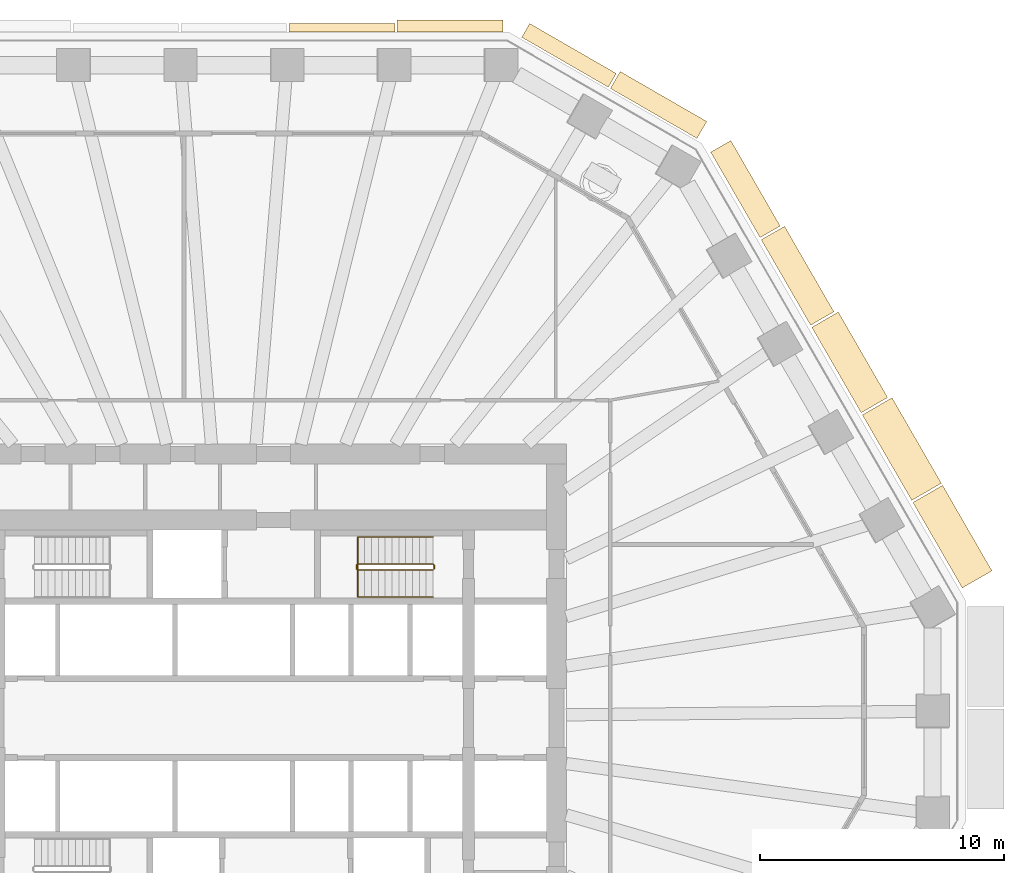
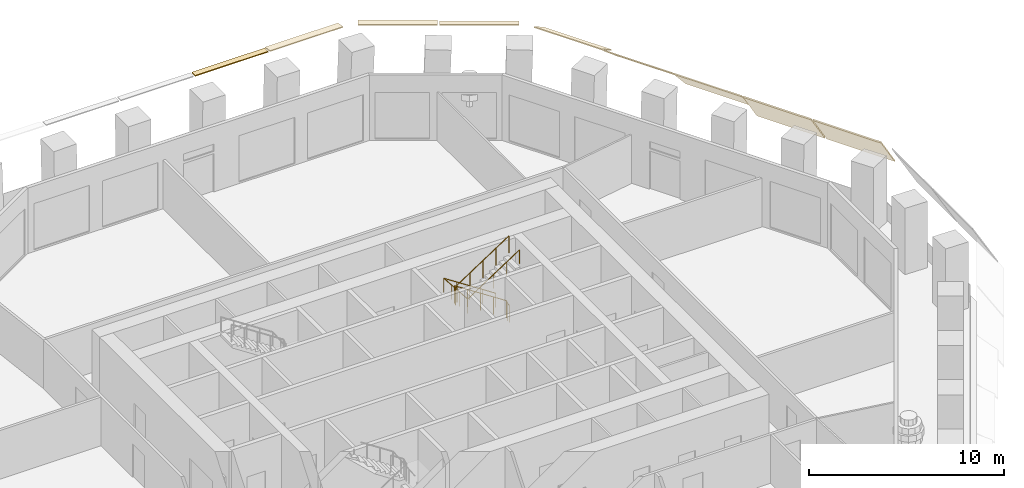
# One storey, part 10 of 12: 9 coverings, 2 railings.
"""IFC4 building model written with IfcOpenShell, lengths in metres."""

from ifc_helpers import new_model, si_unit, direction, frame, origin, origin_2d, place, context, subcontext, project, spatial, polyline, circle, outline, extrude, material, layer, layer_set, type_object, element, save


model = new_model("IFC4")

# Units and contexts
model_context = context("Model", 3, precision=1e-05, world=origin(), true_north=direction((0.0, 1.0)))
body_context = subcontext(model_context, "Body", "Model", "MODEL_VIEW")
ifc_project = project(units=[si_unit("LENGTHUNIT", "METRE"), si_unit("AREAUNIT", "SQUARE_METRE"), si_unit("VOLUMEUNIT", "CUBIC_METRE"), si_unit("PLANEANGLEUNIT", "RADIAN"), si_unit("MASSUNIT", "GRAM", prefix="KILO")], contexts=[model_context])

# Site, building, storey
site_placement = place(None, origin())
site = spatial("IfcSite", under=ifc_project, at=site_placement, CompositionType="ELEMENT")
building_placement = place(site_placement, origin())
building = spatial("IfcBuilding", under=site, at=building_placement, Name="Frailejon Research Tower", CompositionType="ELEMENT")
storey_placement = place(building_placement, frame((0.0, 0.0, 89.60009765625)))
storey = spatial("IfcBuildingStorey", under=building, at=storey_placement, Name="L19", CompositionType="ELEMENT", Elevation=89.60009765625)

# Coverings
ifc_material_1 = material(Name="Precast concrete C50/60", Category="concrete")
ifc_layer_1 = layer(ifc_material_1, 0.06005859375)
ifc_layer_set_1 = layer_set([ifc_layer_1], Name="Brim blade depth 1100")
covering_type_1 = type_object("IfcCoveringType", Name="Brim blade depth 1100", PredefinedType="CLADDING", material=ifc_layer_set_1)
covering_1_placement = place(storey_placement, frame((21.57421875, 19.56201171875, 4.25), z_axis=(0.500005682111, -0.866022123192, 0.0), x_axis=(0.866022123192, 0.500005682111, 0.0)))
element("IfcCovering", 1, at=covering_1_placement, inside=storey, type_object=covering_type_1, Name="Brim blade L19", PredefinedType="CLADDING", context=body_context, shape_type="SweptSolid", body=[
    extrude(outline(polyline([(0.0, -0.078369140625), (1.10009765625, -1.001220703125), (1.10009765625, -0.923095703125), (0.0, 0.0), (0.0, -0.078369140625)])), origin(), (0.0, 0.0, 1.0), 4.0361328125),
])
ifc_material_2 = material(Name="Precast concrete C50/60", Category="concrete")
ifc_layer_2 = layer(ifc_material_2, 0.06005859375)
ifc_layer_set_2 = layer_set([ifc_layer_2], Name="Brim blade depth 1250")
covering_type_2 = type_object("IfcCoveringType", Name="Brim blade depth 1250", PredefinedType="CLADDING", material=ifc_layer_set_2)
covering_2_placement = place(storey_placement, frame((23.64208984375, 15.97998046875, 4.25), z_axis=(0.500005682111, -0.866022123192, 0.0), x_axis=(0.866022123192, 0.500005682111, 0.0)))
element("IfcCovering", 2, at=covering_2_placement, inside=storey, type_object=covering_type_2, Name="Brim blade L19", PredefinedType="CLADDING", context=body_context, shape_type="SweptSolid", body=[
    extrude(outline(polyline([(0.0, -0.0888671875), (1.25, -1.452880859375), (1.25, -1.364013671875), (0.0, 0.0), (0.0, -0.0888671875)])), origin(), (0.0, 0.0, 1.0), 4.0361328125),
])
ifc_material_3 = material(Name="Precast concrete C50/60", Category="concrete")
ifc_layer_3 = layer(ifc_material_3, 0.06005859375)
ifc_layer_set_3 = layer_set([ifc_layer_3], Name="Brim blade depth 1400")
covering_type_3 = type_object("IfcCoveringType", Name="Brim blade depth 1400", PredefinedType="CLADDING", material=ifc_layer_set_3)
for number, where, z_axis, x_axis, name in (
    (3, (27.7783203125, 8.816162109375, 4.25), (0.500005682111, -0.866022123192, 0.0), (0.866022123192, 0.500005682111, 0.0), "Brim blade L19"),
    (4, (25.710205078125, 12.398193359375, 4.25), (0.49998754911, -0.86603259219, 0.0), (0.86603259219, 0.49998754911, 0.0), "Brim blade L19"),
):
    element("IfcCovering", number, at=place(storey_placement, frame(where, z_axis=z_axis, x_axis=x_axis)), inside=storey, type_object=covering_type_3, Name=name, PredefinedType="CLADDING", context=body_context, shape_type="SweptSolid", body=[
        extrude(outline(polyline([(0.0, -0.1044921875), (1.39990234375, -2.10400390625), (1.39990234375, -1.99951171875), (0.0, 0.0), (0.0, -0.1044921875)])), origin(), (0.0, 0.0, 1.0), 4.0361328125),
    ])
ifc_material_4 = material(Name="Precast concrete C50/60", Category="concrete")
ifc_layer_4 = layer(ifc_material_4, 0.06005859375)
ifc_layer_set_4 = layer_set([ifc_layer_4], Name="Brim blade depth 350")
covering_type_4 = type_object("IfcCoveringType", Name="Brim blade depth 350", PredefinedType="CLADDING", material=ifc_layer_set_4)
covering_3_placement = place(storey_placement, frame((2.26171875, 28.050048828125, 4.25), z_axis=(1.0, 0.0, 0.0), x_axis=(0.0, 1.0, 0.0)))
element("IfcCovering", 5, at=covering_3_placement, inside=storey, type_object=covering_type_4, Name="Brim blade L19", PredefinedType="CLADDING", context=body_context, shape_type="SweptSolid", body=[
    extrude(outline(polyline([(0.0, -0.06005859375), (0.35009765625, -0.06005859375), (0.35009765625, 0.0), (0.0, 0.0), (0.0, -0.06005859375)])), origin(), (0.0, 0.0, 1.0), 4.323486328125),
])
ifc_material_5 = material(Name="Precast concrete C50/60", Category="concrete")
ifc_layer_5 = layer(ifc_material_5, 0.06005859375)
ifc_layer_set_5 = layer_set([ifc_layer_5], Name="Brim blade depth 500")
covering_type_5 = type_object("IfcCoveringType", Name="Brim blade depth 500", PredefinedType="CLADDING", material=ifc_layer_set_5)
covering_4_placement = place(storey_placement, frame((6.685302734375, 28.050048828125, 4.25), z_axis=(1.0, 0.0, 0.0), x_axis=(0.0, 1.0, 0.0)))
element("IfcCovering", 6, at=covering_4_placement, inside=storey, type_object=covering_type_5, Name="Brim blade L19", PredefinedType="CLADDING", context=body_context, shape_type="SweptSolid", body=[
    extrude(outline(polyline([(0.0, -0.060546875), (0.5, -0.130859375), (0.5, -0.0703125), (0.0, 0.0), (0.0, -0.060546875)])), origin(), (0.0, 0.0, 1.0), 4.323486328125),
])
ifc_material_6 = material(Name="Precast concrete C50/60", Category="concrete")
ifc_layer_6 = layer(ifc_material_6, 0.06005859375)
ifc_layer_set_6 = layer_set([ifc_layer_6], Name="Brim blade depth 650")
covering_type_6 = type_object("IfcCoveringType", Name="Brim blade depth 650", PredefinedType="CLADDING", material=ifc_layer_set_6)
covering_5_placement = place(storey_placement, frame((11.777099609375, 27.843994140625, 4.25), z_axis=(0.866021344981, -0.500007029989, 0.0), x_axis=(0.500007029989, 0.866021344981, 0.0)))
element("IfcCovering", 7, at=covering_5_placement, inside=storey, type_object=covering_type_6, Name="Brim blade L19", PredefinedType="CLADDING", context=body_context, shape_type="SweptSolid", body=[
    extrude(outline(polyline([(0.0, -0.0625), (0.64990234375, -0.248779296875), (0.64990234375, -0.186279296875), (0.0, 0.0), (0.0, -0.0625)])), origin(), (0.0, 0.0, 1.0), 4.08740234375),
])
ifc_material_7 = material(Name="Precast concrete C50/60", Category="concrete")
ifc_layer_7 = layer(ifc_material_7, 0.06005859375)
ifc_layer_set_7 = layer_set([ifc_layer_7], Name="Brim blade depth 800")
covering_type_7 = type_object("IfcCoveringType", Name="Brim blade depth 800", PredefinedType="CLADDING", material=ifc_layer_set_7)
covering_6_placement = place(storey_placement, frame((15.40380859375, 25.750244140625, 4.25), z_axis=(0.866021344981, -0.500007029989, 0.0), x_axis=(0.500007029989, 0.866021344981, 0.0)))
element("IfcCovering", 8, at=covering_6_placement, inside=storey, type_object=covering_type_7, Name="Brim blade L19", PredefinedType="CLADDING", context=body_context, shape_type="SweptSolid", body=[
    extrude(outline(polyline([(0.0, -0.065673828125), (0.800048828125, -0.421875), (0.800048828125, -0.356201171875), (0.0, 0.0), (0.0, -0.065673828125)])), origin(), (0.0, 0.0, 1.0), 4.08740234375),
])
ifc_material_8 = material(Name="Precast concrete C50/60", Category="concrete")
ifc_layer_8 = layer(ifc_material_8, 0.06005859375)
ifc_layer_set_8 = layer_set([ifc_layer_8], Name="Brim blade depth 950")
covering_type_8 = type_object("IfcCoveringType", Name="Brim blade depth 950", PredefinedType="CLADDING", material=ifc_layer_set_8)
covering_7_placement = place(storey_placement, frame((19.506103515625, 23.14404296875, 4.25), z_axis=(0.500005682111, -0.866022123192, 0.0), x_axis=(0.866022123192, 0.500005682111, 0.0)))
element("IfcCovering", 9, at=covering_7_placement, inside=storey, type_object=covering_type_8, Name="Brim blade L19", PredefinedType="CLADDING", context=body_context, shape_type="SweptSolid", body=[
    extrude(outline(polyline([(0.0, -0.07080078125), (0.949951171875, -0.664306640625), (0.949951171875, -0.593505859375), (0.0, 0.0), (0.0, -0.07080078125)])), origin(), (0.0, 0.0, 1.0), 4.0361328125),
])

# Railings
ifc_material_9 = material(Name="Stainless steel", Category="steel")
railing_type_1 = type_object("IfcRailingType", Name="Stair guard 1100", PredefinedType="GUARDRAIL", material=ifc_material_9)
railing_1_placement = place(storey_placement, frame((8.199951171875, 6.10009765625, 0.0)))
element("IfcRailing", 10, at=railing_1_placement, inside=storey, type_object=railing_type_1, Name="L19 ST3 stair guard 1", PredefinedType="GUARDRAIL", context=body_context, shape_type="SweptSolid", body=[
    extrude(circle(Radius=0.02392578125, at=origin_2d()), frame((0.0, 0.0, 1.076171875), z_axis=(0.0, 1.0, 0.0), x_axis=(-1.0, 0.0, 0.0)), (0.0, 0.0, 1.0), 0.14990234375),
    extrude(circle(Radius=0.02392578125, at=origin_2d()), frame((0.0, 0.14990234375, 1.076171875), z_axis=(-0.254653276557, 0.254653276557, 0.932900539971), x_axis=(-0.707106781187, -0.707106781187, 0.0)), (0.0, 0.0, 1.0), 0.196533203125),
    extrude(circle(Radius=0.02392578125, at=origin_2d()), frame((-0.050048828125, 0.199951171875, 1.25927734375), z_axis=(-0.836613101238, 0.0, 0.547794230379), x_axis=(0.0, -1.0, 0.0)), (0.0, 0.0, 1.0), 3.681396484375),
    extrude(circle(Radius=0.02392578125, at=origin_2d()), frame((-3.1298828125, 0.199951171875, 3.27587890625), z_axis=(-0.707106781187, -0.707106781187, 0.0), x_axis=(0.707106781187, -0.707106781187, 0.0)), (0.0, 0.0, 1.0), 0.07080078125),
    extrude(circle(Radius=0.02392578125, at=origin_2d()), frame((-3.179931640625, 0.14990234375, 3.27587890625), z_axis=(0.0, -1.0, 0.0), x_axis=(1.0, 0.0, 0.0)), (0.0, 0.0, 1.0), 0.14990234375),
    extrude(circle(Radius=0.02392578125, at=origin_2d()), frame((-3.179931640625, 0.0, 3.27587890625), z_axis=(0.254653276557, -0.254653276557, 0.932900539971), x_axis=(0.707106781187, 0.707106781187, 0.0)), (0.0, 0.0, 1.0), 0.196533203125),
    extrude(circle(Radius=0.02392578125, at=origin_2d()), frame((-3.1298828125, -0.050048828125, 3.45947265625), z_axis=(0.836613101238, 0.0, 0.547794230379), x_axis=(0.0, 1.0, 0.0)), (0.0, 0.0, 1.0), 3.681396484375),
    extrude(circle(Radius=0.02099609375, at=origin_2d()), origin(), (0.0, 0.0, 1.0), 1.052001953125),
    extrude(circle(Radius=0.02099609375, at=origin_2d()), frame((0.0, 0.14990234375, 0.0)), (0.0, 0.0, 1.0), 1.052001953125),
    extrude(circle(Radius=0.02099609375, at=origin_2d()), frame((-0.050048828125, 0.199951171875, 0.183349609375)), (0.0, 0.0, 1.0), 1.052001953125),
    extrude(circle(Radius=0.02099609375, at=origin_2d()), frame((-0.820068359375, 0.199951171875, 0.6875)), (0.0, 0.0, 1.0), 1.052001953125),
    extrude(circle(Radius=0.02099609375, at=origin_2d()), frame((-1.58984375, 0.199951171875, 1.191650390625)), (0.0, 0.0, 1.0), 1.052001953125),
    extrude(circle(Radius=0.02099609375, at=origin_2d()), frame((-2.35986328125, 0.199951171875, 1.69580078125)), (0.0, 0.0, 1.0), 1.052001953125),
    extrude(circle(Radius=0.02099609375, at=origin_2d()), frame((-3.1298828125, 0.199951171875, 2.199951171875)), (0.0, 0.0, 1.0), 1.052001953125),
    extrude(circle(Radius=0.02099609375, at=origin_2d()), frame((-3.179931640625, 0.14990234375, 2.199951171875)), (0.0, 0.0, 1.0), 1.052001953125),
    extrude(circle(Radius=0.02099609375, at=origin_2d()), frame((-3.179931640625, 0.0, 2.199951171875)), (0.0, 0.0, 1.0), 1.052001953125),
    extrude(circle(Radius=0.02099609375, at=origin_2d()), frame((-3.1298828125, -0.050048828125, 2.38330078125)), (0.0, 0.0, 1.0), 1.052001953125),
    extrude(circle(Radius=0.02099609375, at=origin_2d()), frame((-2.35986328125, -0.050048828125, 2.887451171875)), (0.0, 0.0, 1.0), 1.052001953125),
    extrude(circle(Radius=0.02099609375, at=origin_2d()), frame((-1.58984375, -0.050048828125, 3.3916015625)), (0.0, 0.0, 1.0), 1.052001953125),
    extrude(circle(Radius=0.02099609375, at=origin_2d()), frame((-0.820068359375, -0.050048828125, 3.895751953125)), (0.0, 0.0, 1.0), 1.052001953125),
    extrude(circle(Radius=0.02099609375, at=origin_2d()), frame((-0.050048828125, -0.050048828125, 4.39990234375)), (0.0, 0.0, 1.0), 1.052001953125),
])
ifc_material_10 = material(Name="Stainless steel", Category="steel")
railing_type_2 = type_object("IfcRailingType", Name="Stair handrail 900", PredefinedType="HANDRAIL", material=ifc_material_10)
railing_2_placement = place(storey_placement, frame((8.14990234375, 7.39990234375, 0.183349609375)))
element("IfcRailing", 11, at=railing_2_placement, inside=storey, type_object=railing_type_2, Name="L19 ST3 stair handrail 1", PredefinedType="HANDRAIL", context=body_context, shape_type="SweptSolid", body=[
    extrude(circle(Radius=0.02392578125, at=origin_2d()), frame((0.0, 0.0, 0.8759765625), z_axis=(-0.836613101238, 0.0, 0.547794230379), x_axis=(0.0, -1.0, 0.0)), (0.0, 0.0, 1.0), 3.681396484375),
    extrude(circle(Radius=0.02392578125, at=origin_2d()), frame((-3.079833984375, 0.0, 2.892578125), z_axis=(0.0, -0.99721134034, 0.074629368868), x_axis=(1.0, 0.0, 0.0)), (0.0, 0.0, 1.0), 2.456787109375),
    extrude(circle(Radius=0.02392578125, at=origin_2d()), frame((-3.079833984375, -2.449951171875, 3.07568359375), z_axis=(0.836613101238, 0.0, 0.547794230379), x_axis=(0.0, 1.0, 0.0)), (0.0, 0.0, 1.0), 3.681396484375),
    extrude(circle(Radius=0.02099609375, at=origin_2d()), origin(), (0.0, 0.0, 1.0), 0.851806640625),
    extrude(circle(Radius=0.02099609375, at=origin_2d()), frame((-0.77001953125, 0.0, 0.504150390625)), (0.0, 0.0, 1.0), 0.851806640625),
    extrude(circle(Radius=0.02099609375, at=origin_2d()), frame((-1.5400390625, 0.0, 1.00830078125)), (0.0, 0.0, 1.0), 0.851806640625),
    extrude(circle(Radius=0.02099609375, at=origin_2d()), frame((-2.309814453125, 0.0, 1.512451171875)), (0.0, 0.0, 1.0), 0.851806640625),
    extrude(circle(Radius=0.02099609375, at=origin_2d()), frame((-3.079833984375, 0.0, 2.0166015625)), (0.0, 0.0, 1.0), 0.851806640625),
    extrude(circle(Radius=0.02099609375, at=origin_2d()), frame((-3.079833984375, -0.816650390625, 2.07763671875)), (0.0, 0.0, 1.0), 0.851806640625),
    extrude(circle(Radius=0.02099609375, at=origin_2d()), frame((-3.079833984375, -1.63330078125, 2.138916015625)), (0.0, 0.0, 1.0), 0.851806640625),
    extrude(circle(Radius=0.02099609375, at=origin_2d()), frame((-3.079833984375, -2.449951171875, 2.199951171875)), (0.0, 0.0, 1.0), 0.851806640625),
    extrude(circle(Radius=0.02099609375, at=origin_2d()), frame((-2.309814453125, -2.449951171875, 2.7041015625)), (0.0, 0.0, 1.0), 0.851806640625),
    extrude(circle(Radius=0.02099609375, at=origin_2d()), frame((-1.5400390625, -2.449951171875, 3.208251953125)), (0.0, 0.0, 1.0), 0.851806640625),
    extrude(circle(Radius=0.02099609375, at=origin_2d()), frame((-0.77001953125, -2.449951171875, 3.71240234375)), (0.0, 0.0, 1.0), 0.851806640625),
    extrude(circle(Radius=0.02099609375, at=origin_2d()), frame((0.0, -2.449951171875, 4.216552734375)), (0.0, 0.0, 1.0), 0.851806640625),
])

save(model, "model.ifc")
